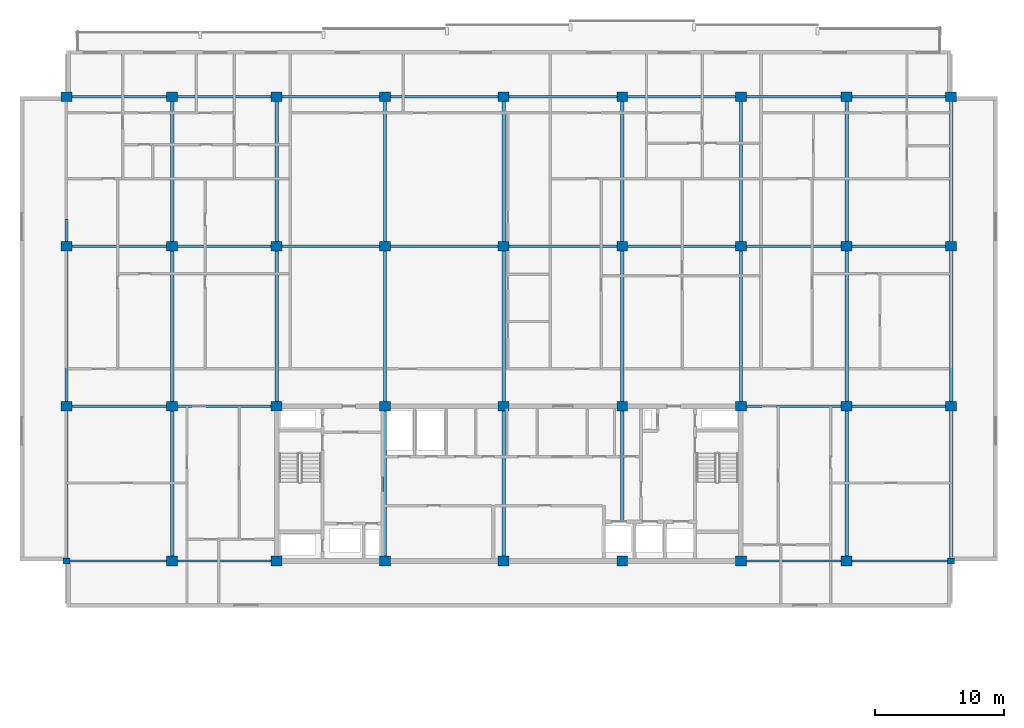
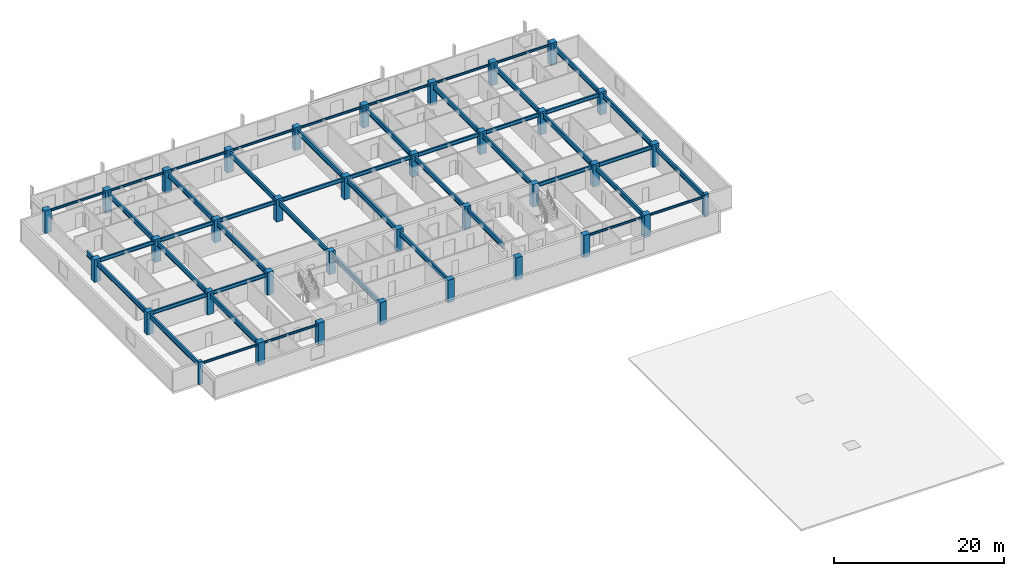
# One storey, part 1 of 11: 49 beams, 36 columns.
"""IFC4 building model written with IfcOpenShell, lengths in metres."""

from ifc_helpers import new_model, si_unit, direction, frame, origin, origin_2d, place, context, subcontext, project, spatial, rectangle, i_section, extrude, material, material_profile, profile_set, type_object, element, save


model = new_model("IFC4")

# Units and contexts
model_context = context("Model", 3, precision=1e-05, world=origin(), true_north=direction((0.0, 1.0)))
body_context = subcontext(model_context, "Body", "Model", "MODEL_VIEW")
ifc_project = project(units=[si_unit("LENGTHUNIT", "METRE"), si_unit("AREAUNIT", "SQUARE_METRE"), si_unit("VOLUMEUNIT", "CUBIC_METRE"), si_unit("PLANEANGLEUNIT", "RADIAN"), si_unit("MASSUNIT", "GRAM", prefix="KILO")], contexts=[model_context])

# Site, building, storey
site_placement = place(None, origin())
site = spatial("IfcSite", under=ifc_project, at=site_placement, CompositionType="ELEMENT")
building_placement = place(site_placement, origin())
building = spatial("IfcBuilding", under=site, at=building_placement, Name="Korimba Cascade Residences", CompositionType="ELEMENT")
storey_placement = place(building_placement, frame((0.0, 0.0, 220.60009765625)))
storey = spatial("IfcBuildingStorey", under=building, at=storey_placement, Name="L64", CompositionType="ELEMENT", Elevation=220.60009765625)

# Columns
ifc_material_1 = material(Name="Concrete C65/80", Category="concrete")
ifc_material_profile_1 = material_profile(ifc_material_1, rectangle(XDim=0.550048828125, YDim=0.449951171875, at=origin_2d()), Name="Concrete C65/80")
ifc_profile_set_1 = profile_set([ifc_material_profile_1], Name="Concrete C65/80")
column_type_1 = type_object("IfcColumnType", Name="COL-PIL-550", PredefinedType="PILASTER", material=ifc_profile_set_1)
for number, where, z_axis, x_axis, name in (
    (1, (59.800048828125, 55.199951171875, 0.0), (0.0, 0.0, 1.0), (1.0, 0.0, 0.0), "L64 Tower 1 Column 1.1"),
    (2, (128.39990234375, 55.199951171875, 0.0), (0.0, 0.0, 1.0), (1.0, 0.0, 0.0), "L64 Tower 1 Column 9.1"),
):
    element("IfcColumn", number, at=place(storey_placement, frame(where, z_axis=z_axis, x_axis=x_axis)), inside=storey, type_object=column_type_1, Name=name, PredefinedType="PILASTER", context=body_context, shape_type="SweptSolid", body=[
        extrude(rectangle(XDim=0.550048828125, YDim=0.449951171875, at=origin_2d()), origin(), (0.0, 0.0, 1.0), 3.25),
    ])
ifc_material_profile_2 = material_profile(ifc_material_1, rectangle(XDim=0.85009765625, YDim=0.75, at=origin_2d()), Name="Concrete C65/80")
ifc_profile_set_2 = profile_set([ifc_material_profile_2], Name="Concrete C65/80")
column_type_2 = type_object("IfcColumnType", Name="COL-RC-850", PredefinedType="COLUMN", material=ifc_profile_set_2)
for number, where, z_axis, x_axis, name in (
    (3, (59.800048828125, 67.199951171875, 0.0), (0.0, 0.0, 1.0), (1.0, 0.0, 0.0), "L64 Tower 1 Column 1.2"),
    (4, (59.800048828125, 79.60009765625, 0.0), (0.0, 0.0, 1.0), (1.0, 0.0, 0.0), "L64 Tower 1 Column 1.3"),
    (5, (59.800048828125, 91.199951171875, 0.0), (0.0, 0.0, 1.0), (1.0, 0.0, 0.0), "L64 Tower 1 Column 1.4"),
    (6, (68.0, 55.199951171875, 0.0), (0.0, 0.0, 1.0), (1.0, 0.0, 0.0), "L64 Tower 1 Column 2.1"),
    (7, (68.0, 67.199951171875, 0.0), (0.0, 0.0, 1.0), (1.0, 0.0, 0.0), "L64 Tower 1 Column 2.2"),
    (8, (68.0, 79.60009765625, 0.0), (0.0, 0.0, 1.0), (1.0, 0.0, 0.0), "L64 Tower 1 Column 2.3"),
    (9, (68.0, 91.199951171875, 0.0), (0.0, 0.0, 1.0), (1.0, 0.0, 0.0), "L64 Tower 1 Column 2.4"),
    (10, (76.10009765625, 55.199951171875, 0.0), (0.0, 0.0, 1.0), (1.0, 0.0, 0.0), "L64 Tower 1 Column 3.1"),
    (11, (76.10009765625, 67.199951171875, 0.0), (0.0, 0.0, 1.0), (1.0, 0.0, 0.0), "L64 Tower 1 Column 3.2"),
    (12, (76.10009765625, 79.60009765625, 0.0), (0.0, 0.0, 1.0), (1.0, 0.0, 0.0), "L64 Tower 1 Column 3.3"),
    (13, (76.10009765625, 91.199951171875, 0.0), (0.0, 0.0, 1.0), (1.0, 0.0, 0.0), "L64 Tower 1 Column 3.4"),
    (14, (84.5, 55.199951171875, 0.0), (0.0, 0.0, 1.0), (1.0, 0.0, 0.0), "L64 Tower 1 Column 4.1"),
    (15, (84.5, 67.199951171875, 0.0), (0.0, 0.0, 1.0), (1.0, 0.0, 0.0), "L64 Tower 1 Column 4.2"),
    (16, (84.5, 79.60009765625, 0.0), (0.0, 0.0, 1.0), (1.0, 0.0, 0.0), "L64 Tower 1 Column 4.3"),
    (17, (84.5, 91.199951171875, 0.0), (0.0, 0.0, 1.0), (1.0, 0.0, 0.0), "L64 Tower 1 Column 4.4"),
    (18, (93.699951171875, 55.199951171875, 0.0), (0.0, 0.0, 1.0), (1.0, 0.0, 0.0), "L64 Tower 1 Column 5.1"),
    (19, (93.699951171875, 67.199951171875, 0.0), (0.0, 0.0, 1.0), (1.0, 0.0, 0.0), "L64 Tower 1 Column 5.2"),
    (20, (93.699951171875, 79.60009765625, 0.0), (0.0, 0.0, 1.0), (1.0, 0.0, 0.0), "L64 Tower 1 Column 5.3"),
    (21, (93.699951171875, 91.199951171875, 0.0), (0.0, 0.0, 1.0), (1.0, 0.0, 0.0), "L64 Tower 1 Column 5.4"),
    (22, (102.89990234375, 55.199951171875, 0.0), (0.0, 0.0, 1.0), (1.0, 0.0, 0.0), "L64 Tower 1 Column 6.1"),
    (23, (102.89990234375, 67.199951171875, 0.0), (0.0, 0.0, 1.0), (1.0, 0.0, 0.0), "L64 Tower 1 Column 6.2"),
    (24, (102.89990234375, 79.60009765625, 0.0), (0.0, 0.0, 1.0), (1.0, 0.0, 0.0), "L64 Tower 1 Column 6.3"),
    (25, (102.89990234375, 91.199951171875, 0.0), (0.0, 0.0, 1.0), (1.0, 0.0, 0.0), "L64 Tower 1 Column 6.4"),
    (26, (112.10009765625, 55.199951171875, 0.0), (0.0, 0.0, 1.0), (1.0, 0.0, 0.0), "L64 Tower 1 Column 7.1"),
    (27, (112.10009765625, 67.199951171875, 0.0), (0.0, 0.0, 1.0), (1.0, 0.0, 0.0), "L64 Tower 1 Column 7.2"),
    (28, (112.10009765625, 79.60009765625, 0.0), (0.0, 0.0, 1.0), (1.0, 0.0, 0.0), "L64 Tower 1 Column 7.3"),
    (29, (112.10009765625, 91.199951171875, 0.0), (0.0, 0.0, 1.0), (1.0, 0.0, 0.0), "L64 Tower 1 Column 7.4"),
    (30, (120.300048828125, 55.199951171875, 0.0), (0.0, 0.0, 1.0), (1.0, 0.0, 0.0), "L64 Tower 1 Column 8.1"),
    (31, (120.300048828125, 67.199951171875, 0.0), (0.0, 0.0, 1.0), (1.0, 0.0, 0.0), "L64 Tower 1 Column 8.2"),
    (32, (120.300048828125, 79.60009765625, 0.0), (0.0, 0.0, 1.0), (1.0, 0.0, 0.0), "L64 Tower 1 Column 8.3"),
    (33, (120.300048828125, 91.199951171875, 0.0), (0.0, 0.0, 1.0), (1.0, 0.0, 0.0), "L64 Tower 1 Column 8.4"),
    (34, (128.39990234375, 67.199951171875, 0.0), (0.0, 0.0, 1.0), (1.0, 0.0, 0.0), "L64 Tower 1 Column 9.2"),
    (35, (128.39990234375, 79.60009765625, 0.0), (0.0, 0.0, 1.0), (1.0, 0.0, 0.0), "L64 Tower 1 Column 9.3"),
    (36, (128.39990234375, 91.199951171875, 0.0), (0.0, 0.0, 1.0), (1.0, 0.0, 0.0), "L64 Tower 1 Column 9.4"),
):
    element("IfcColumn", number, at=place(storey_placement, frame(where, z_axis=z_axis, x_axis=x_axis)), inside=storey, type_object=column_type_2, Name=name, PredefinedType="COLUMN", context=body_context, shape_type="SweptSolid", body=[
        extrude(rectangle(XDim=0.85009765625, YDim=0.75, at=origin_2d()), origin(), (0.0, 0.0, 1.0), 3.25),
    ])

# Beams
ifc_material_2 = material(Name="Steel S355", Category="steel")
ifc_material_profile_3 = material_profile(ifc_material_2, i_section(OverallWidth=0.165771484375, OverallDepth=0.306640625, WebThickness=0.006591796875, FlangeThickness=0.01171875, FilletRadius=0.0087890625, at=origin_2d()), Name="Steel S355")
ifc_profile_set_3 = profile_set([ifc_material_profile_3], Name="Steel S355")
beam_type_1 = type_object("IfcBeamType", Name="BM-STL-UB305", PredefinedType="SPANDREL", material=ifc_profile_set_3)
beam_1_placement = place(storey_placement, frame((60.074951171875, 55.199951171875, 2.816650390625), z_axis=(1.0, 0.0, 0.0), x_axis=(0.0, 1.0, 0.0)))
element("IfcBeam", 37, at=beam_1_placement, inside=storey, type_object=beam_type_1, Name="L64 T1 E-W Girder Y1 Bay 1", PredefinedType="SPANDREL", context=body_context, shape_type="SweptSolid", body=[
    extrude(i_section(OverallWidth=0.165771484375, OverallDepth=0.306640625, WebThickness=0.006591796875, FlangeThickness=0.01171875, FilletRadius=0.0087890625, at=origin_2d()), origin(), (0.0, 0.0, 1.0), 7.5),
])
beam_2_placement = place(storey_placement, frame((68.425048828125, 55.199951171875, 2.816650390625), z_axis=(1.0, 0.0, 0.0), x_axis=(0.0, 1.0, 0.0)))
element("IfcBeam", 38, at=beam_2_placement, inside=storey, type_object=beam_type_1, Name="L64 T1 E-W Girder Y1 Bay 2", PredefinedType="SPANDREL", context=body_context, shape_type="SweptSolid", body=[
    extrude(i_section(OverallWidth=0.165771484375, OverallDepth=0.306640625, WebThickness=0.006591796875, FlangeThickness=0.01171875, FilletRadius=0.0087890625, at=origin_2d()), origin(), (0.0, 0.0, 1.0), 7.25),
])
beam_3_placement = place(storey_placement, frame((112.52490234375, 55.199951171875, 2.816650390625), z_axis=(1.0, 0.0, 0.0), x_axis=(0.0, 1.0, 0.0)))
element("IfcBeam", 39, at=beam_3_placement, inside=storey, type_object=beam_type_1, Name="L64 T1 E-W Girder Y1 Bay 7", PredefinedType="SPANDREL", context=body_context, shape_type="SweptSolid", body=[
    extrude(i_section(OverallWidth=0.165771484375, OverallDepth=0.306640625, WebThickness=0.006591796875, FlangeThickness=0.01171875, FilletRadius=0.0087890625, at=origin_2d()), origin(), (0.0, 0.0, 1.0), 7.35009765625),
])
beam_4_placement = place(storey_placement, frame((120.72509765625, 55.199951171875, 2.816650390625), z_axis=(1.0, 0.0, 0.0), x_axis=(0.0, 1.0, 0.0)))
element("IfcBeam", 40, at=beam_4_placement, inside=storey, type_object=beam_type_1, Name="L64 T1 E-W Girder Y1 Bay 8", PredefinedType="SPANDREL", context=body_context, shape_type="SweptSolid", body=[
    extrude(i_section(OverallWidth=0.165771484375, OverallDepth=0.306640625, WebThickness=0.006591796875, FlangeThickness=0.01171875, FilletRadius=0.0087890625, at=origin_2d()), origin(), (0.0, 0.0, 1.0), 7.39990234375),
])
beam_5_placement = place(storey_placement, frame((60.22509765625, 91.199951171875, 2.816650390625), z_axis=(1.0, 0.0, 0.0), x_axis=(0.0, 1.0, 0.0)))
element("IfcBeam", 41, at=beam_5_placement, inside=storey, type_object=beam_type_1, Name="L64 T1 E-W Girder Y4 Bay 1", PredefinedType="SPANDREL", context=body_context, shape_type="SweptSolid", body=[
    extrude(i_section(OverallWidth=0.165771484375, OverallDepth=0.306640625, WebThickness=0.006591796875, FlangeThickness=0.01171875, FilletRadius=0.0087890625, at=origin_2d()), origin(), (0.0, 0.0, 1.0), 7.349853515625),
])
beam_6_placement = place(storey_placement, frame((68.425048828125, 91.199951171875, 2.816650390625), z_axis=(1.0, 0.0, 0.0), x_axis=(0.0, 1.0, 0.0)))
element("IfcBeam", 42, at=beam_6_placement, inside=storey, type_object=beam_type_1, Name="L64 T1 E-W Girder Y4 Bay 2", PredefinedType="SPANDREL", context=body_context, shape_type="SweptSolid", body=[
    extrude(i_section(OverallWidth=0.165771484375, OverallDepth=0.306640625, WebThickness=0.006591796875, FlangeThickness=0.01171875, FilletRadius=0.0087890625, at=origin_2d()), origin(), (0.0, 0.0, 1.0), 7.25),
])
beam_7_placement = place(storey_placement, frame((76.52490234375, 91.199951171875, 2.816650390625), z_axis=(1.0, 0.0, 0.0), x_axis=(0.0, 1.0, 0.0)))
element("IfcBeam", 43, at=beam_7_placement, inside=storey, type_object=beam_type_1, Name="L64 T1 E-W Girder Y4 Bay 3", PredefinedType="SPANDREL", context=body_context, shape_type="SweptSolid", body=[
    extrude(i_section(OverallWidth=0.165771484375, OverallDepth=0.306640625, WebThickness=0.006591796875, FlangeThickness=0.01171875, FilletRadius=0.0087890625, at=origin_2d()), origin(), (0.0, 0.0, 1.0), 7.550048828125),
])
beam_8_placement = place(storey_placement, frame((84.925048828125, 91.199951171875, 2.816650390625), z_axis=(1.0, 0.0, 0.0), x_axis=(0.0, 1.0, 0.0)))
element("IfcBeam", 44, at=beam_8_placement, inside=storey, type_object=beam_type_1, Name="L64 T1 E-W Girder Y4 Bay 4", PredefinedType="SPANDREL", context=body_context, shape_type="SweptSolid", body=[
    extrude(i_section(OverallWidth=0.165771484375, OverallDepth=0.306640625, WebThickness=0.006591796875, FlangeThickness=0.01171875, FilletRadius=0.0087890625, at=origin_2d()), origin(), (0.0, 0.0, 1.0), 8.349853515625),
])
for number, where, z_axis, x_axis, name in (
    (45, (94.125, 91.199951171875, 2.816650390625), (1.0, 0.0, 0.0), (0.0, 1.0, 0.0), "L64 T1 E-W Girder Y4 Bay 5"),
    (46, (103.324951171875, 91.199951171875, 2.816650390625), (1.0, 0.0, 0.0), (0.0, 1.0, 0.0), "L64 T1 E-W Girder Y4 Bay 6"),
):
    element("IfcBeam", number, at=place(storey_placement, frame(where, z_axis=z_axis, x_axis=x_axis)), inside=storey, type_object=beam_type_1, Name=name, PredefinedType="SPANDREL", context=body_context, shape_type="SweptSolid", body=[
        extrude(i_section(OverallWidth=0.165771484375, OverallDepth=0.306640625, WebThickness=0.006591796875, FlangeThickness=0.01171875, FilletRadius=0.0087890625, at=origin_2d()), origin(), (0.0, 0.0, 1.0), 8.35009765625),
    ])
beam_9_placement = place(storey_placement, frame((112.52490234375, 91.199951171875, 2.816650390625), z_axis=(1.0, 0.0, 0.0), x_axis=(0.0, 1.0, 0.0)))
element("IfcBeam", 47, at=beam_9_placement, inside=storey, type_object=beam_type_1, Name="L64 T1 E-W Girder Y4 Bay 7", PredefinedType="SPANDREL", context=body_context, shape_type="SweptSolid", body=[
    extrude(i_section(OverallWidth=0.165771484375, OverallDepth=0.306640625, WebThickness=0.006591796875, FlangeThickness=0.01171875, FilletRadius=0.0087890625, at=origin_2d()), origin(), (0.0, 0.0, 1.0), 7.35009765625),
])
beam_10_placement = place(storey_placement, frame((120.72509765625, 91.199951171875, 2.816650390625), z_axis=(1.0, 0.0, 0.0), x_axis=(0.0, 1.0, 0.0)))
element("IfcBeam", 48, at=beam_10_placement, inside=storey, type_object=beam_type_1, Name="L64 T1 E-W Girder Y4 Bay 8", PredefinedType="SPANDREL", context=body_context, shape_type="SweptSolid", body=[
    extrude(i_section(OverallWidth=0.165771484375, OverallDepth=0.306640625, WebThickness=0.006591796875, FlangeThickness=0.01171875, FilletRadius=0.0087890625, at=origin_2d()), origin(), (0.0, 0.0, 1.0), 7.25),
])
ifc_material_profile_4 = material_profile(ifc_material_2, i_section(OverallWidth=0.2099609375, OverallDepth=0.53662109375, WebThickness=0.0107421875, FlangeThickness=0.017333984375, FilletRadius=0.0126953125, at=origin_2d()), Name="Steel S355")
ifc_profile_set_4 = profile_set([ifc_material_profile_4], Name="Steel S355")
beam_type_2 = type_object("IfcBeamType", Name="BM-STL-UB533", PredefinedType="BEAM", material=ifc_profile_set_4)
beam_11_placement = place(storey_placement, frame((60.22509765625, 67.199951171875, 2.701416015625), z_axis=(1.0, 0.0, 0.0), x_axis=(0.0, 1.0, 0.0)))
element("IfcBeam", 49, at=beam_11_placement, inside=storey, type_object=beam_type_2, Name="L64 T1 E-W Girder Y2 Bay 1", PredefinedType="BEAM", context=body_context, shape_type="SweptSolid", body=[
    extrude(i_section(OverallWidth=0.2099609375, OverallDepth=0.53662109375, WebThickness=0.0107421875, FlangeThickness=0.017333984375, FilletRadius=0.0126953125, at=origin_2d()), origin(), (0.0, 0.0, 1.0), 7.349853515625),
])
beam_12_placement = place(storey_placement, frame((68.425048828125, 67.199951171875, 2.701416015625), z_axis=(1.0, 0.0, 0.0), x_axis=(0.0, 1.0, 0.0)))
element("IfcBeam", 50, at=beam_12_placement, inside=storey, type_object=beam_type_2, Name="L64 T1 E-W Girder Y2 Bay 2", PredefinedType="BEAM", context=body_context, shape_type="SweptSolid", body=[
    extrude(i_section(OverallWidth=0.2099609375, OverallDepth=0.53662109375, WebThickness=0.0107421875, FlangeThickness=0.017333984375, FilletRadius=0.0126953125, at=origin_2d()), origin(), (0.0, 0.0, 1.0), 7.25),
])
beam_13_placement = place(storey_placement, frame((112.52490234375, 67.199951171875, 2.701416015625), z_axis=(1.0, 0.0, 0.0), x_axis=(0.0, 1.0, 0.0)))
element("IfcBeam", 51, at=beam_13_placement, inside=storey, type_object=beam_type_2, Name="L64 T1 E-W Girder Y2 Bay 7", PredefinedType="BEAM", context=body_context, shape_type="SweptSolid", body=[
    extrude(i_section(OverallWidth=0.2099609375, OverallDepth=0.53662109375, WebThickness=0.0107421875, FlangeThickness=0.017333984375, FilletRadius=0.0126953125, at=origin_2d()), origin(), (0.0, 0.0, 1.0), 7.35009765625),
])
beam_14_placement = place(storey_placement, frame((120.72509765625, 67.199951171875, 2.701416015625), z_axis=(1.0, 0.0, 0.0), x_axis=(0.0, 1.0, 0.0)))
element("IfcBeam", 52, at=beam_14_placement, inside=storey, type_object=beam_type_2, Name="L64 T1 E-W Girder Y2 Bay 8", PredefinedType="BEAM", context=body_context, shape_type="SweptSolid", body=[
    extrude(i_section(OverallWidth=0.2099609375, OverallDepth=0.53662109375, WebThickness=0.0107421875, FlangeThickness=0.017333984375, FilletRadius=0.0126953125, at=origin_2d()), origin(), (0.0, 0.0, 1.0), 7.25),
])
beam_15_placement = place(storey_placement, frame((60.22509765625, 79.60009765625, 2.701416015625), z_axis=(1.0, 0.0, 0.0), x_axis=(0.0, 1.0, 0.0)))
element("IfcBeam", 53, at=beam_15_placement, inside=storey, type_object=beam_type_2, Name="L64 T1 E-W Girder Y3 Bay 1", PredefinedType="BEAM", context=body_context, shape_type="SweptSolid", body=[
    extrude(i_section(OverallWidth=0.2099609375, OverallDepth=0.53662109375, WebThickness=0.0107421875, FlangeThickness=0.017333984375, FilletRadius=0.0126953125, at=origin_2d()), origin(), (0.0, 0.0, 1.0), 7.349853515625),
])
beam_16_placement = place(storey_placement, frame((68.425048828125, 79.60009765625, 2.701416015625), z_axis=(1.0, 0.0, 0.0), x_axis=(0.0, 1.0, 0.0)))
element("IfcBeam", 54, at=beam_16_placement, inside=storey, type_object=beam_type_2, Name="L64 T1 E-W Girder Y3 Bay 2", PredefinedType="BEAM", context=body_context, shape_type="SweptSolid", body=[
    extrude(i_section(OverallWidth=0.2099609375, OverallDepth=0.53662109375, WebThickness=0.0107421875, FlangeThickness=0.017333984375, FilletRadius=0.0126953125, at=origin_2d()), origin(), (0.0, 0.0, 1.0), 7.25),
])
beam_17_placement = place(storey_placement, frame((76.52490234375, 79.60009765625, 2.701416015625), z_axis=(1.0, 0.0, 0.0), x_axis=(0.0, 1.0, 0.0)))
element("IfcBeam", 55, at=beam_17_placement, inside=storey, type_object=beam_type_2, Name="L64 T1 E-W Girder Y3 Bay 3", PredefinedType="BEAM", context=body_context, shape_type="SweptSolid", body=[
    extrude(i_section(OverallWidth=0.2099609375, OverallDepth=0.53662109375, WebThickness=0.0107421875, FlangeThickness=0.017333984375, FilletRadius=0.0126953125, at=origin_2d()), origin(), (0.0, 0.0, 1.0), 7.550048828125),
])
beam_18_placement = place(storey_placement, frame((84.925048828125, 79.60009765625, 2.701416015625), z_axis=(1.0, 0.0, 0.0), x_axis=(0.0, 1.0, 0.0)))
element("IfcBeam", 56, at=beam_18_placement, inside=storey, type_object=beam_type_2, Name="L64 T1 E-W Girder Y3 Bay 4", PredefinedType="BEAM", context=body_context, shape_type="SweptSolid", body=[
    extrude(i_section(OverallWidth=0.2099609375, OverallDepth=0.53662109375, WebThickness=0.0107421875, FlangeThickness=0.017333984375, FilletRadius=0.0126953125, at=origin_2d()), origin(), (0.0, 0.0, 1.0), 8.349853515625),
])
for number, where, z_axis, x_axis, name in (
    (57, (94.125, 79.60009765625, 2.701416015625), (1.0, 0.0, 0.0), (0.0, 1.0, 0.0), "L64 T1 E-W Girder Y3 Bay 5"),
    (58, (103.324951171875, 79.60009765625, 2.701416015625), (1.0, 0.0, 0.0), (0.0, 1.0, 0.0), "L64 T1 E-W Girder Y3 Bay 6"),
):
    element("IfcBeam", number, at=place(storey_placement, frame(where, z_axis=z_axis, x_axis=x_axis)), inside=storey, type_object=beam_type_2, Name=name, PredefinedType="BEAM", context=body_context, shape_type="SweptSolid", body=[
        extrude(i_section(OverallWidth=0.2099609375, OverallDepth=0.53662109375, WebThickness=0.0107421875, FlangeThickness=0.017333984375, FilletRadius=0.0126953125, at=origin_2d()), origin(), (0.0, 0.0, 1.0), 8.35009765625),
    ])
beam_19_placement = place(storey_placement, frame((112.52490234375, 79.60009765625, 2.701416015625), z_axis=(1.0, 0.0, 0.0), x_axis=(0.0, 1.0, 0.0)))
element("IfcBeam", 59, at=beam_19_placement, inside=storey, type_object=beam_type_2, Name="L64 T1 E-W Girder Y3 Bay 7", PredefinedType="BEAM", context=body_context, shape_type="SweptSolid", body=[
    extrude(i_section(OverallWidth=0.2099609375, OverallDepth=0.53662109375, WebThickness=0.0107421875, FlangeThickness=0.017333984375, FilletRadius=0.0126953125, at=origin_2d()), origin(), (0.0, 0.0, 1.0), 7.35009765625),
])
beam_20_placement = place(storey_placement, frame((120.72509765625, 79.60009765625, 2.701416015625), z_axis=(1.0, 0.0, 0.0), x_axis=(0.0, 1.0, 0.0)))
element("IfcBeam", 60, at=beam_20_placement, inside=storey, type_object=beam_type_2, Name="L64 T1 E-W Girder Y3 Bay 8", PredefinedType="BEAM", context=body_context, shape_type="SweptSolid", body=[
    extrude(i_section(OverallWidth=0.2099609375, OverallDepth=0.53662109375, WebThickness=0.0107421875, FlangeThickness=0.017333984375, FilletRadius=0.0126953125, at=origin_2d()), origin(), (0.0, 0.0, 1.0), 7.25),
])
ifc_material_profile_5 = material_profile(ifc_material_2, i_section(OverallWidth=0.255859375, OverallDepth=0.69287109375, WebThickness=0.014404296875, FlangeThickness=0.023681640625, FilletRadius=0.01513671875, at=origin_2d()), Name="Steel S355")
ifc_profile_set_5 = profile_set([ifc_material_profile_5], Name="Steel S355")
beam_type_3 = type_object("IfcBeamType", Name="BM-STL-UB686", PredefinedType="BEAM", material=ifc_profile_set_5)
beam_21_placement = place(storey_placement, frame((59.800048828125, 55.425048828125, 2.623291015625), z_axis=(0.0, 1.0, 0.0), x_axis=(-1.0, 0.0, 0.0)))
element("IfcBeam", 61, at=beam_21_placement, inside=storey, type_object=beam_type_3, Name="L64 T1 N-S Girder X1 Seg 1", PredefinedType="BEAM", context=body_context, shape_type="SweptSolid", body=[
    extrude(i_section(OverallWidth=0.255859375, OverallDepth=0.69287109375, WebThickness=0.014404296875, FlangeThickness=0.023681640625, FilletRadius=0.01513671875, at=origin_2d()), origin(), (0.0, 0.0, 1.0), 11.39990234375),
])
beam_22_placement = place(storey_placement, frame((59.800048828125, 67.574951171875, 2.623291015625), z_axis=(0.0, 1.0, 0.0), x_axis=(-1.0, 0.0, 0.0)))
element("IfcBeam", 62, at=beam_22_placement, inside=storey, type_object=beam_type_3, Name="L64 T1 N-S Girder X1 Seg 2", PredefinedType="BEAM", context=body_context, shape_type="SweptSolid", body=[
    extrude(i_section(OverallWidth=0.255859375, OverallDepth=0.69287109375, WebThickness=0.014404296875, FlangeThickness=0.023681640625, FilletRadius=0.01513671875, at=origin_2d()), origin(), (0.0, 0.0, 1.0), 11.650146484375),
])
beam_23_placement = place(storey_placement, frame((59.800048828125, 79.97509765625, 2.623291015625), z_axis=(0.0, 1.0, 0.0), x_axis=(-1.0, 0.0, 0.0)))
element("IfcBeam", 63, at=beam_23_placement, inside=storey, type_object=beam_type_3, Name="L64 T1 N-S Girder X1 Seg 3", PredefinedType="BEAM", context=body_context, shape_type="SweptSolid", body=[
    extrude(i_section(OverallWidth=0.255859375, OverallDepth=0.69287109375, WebThickness=0.014404296875, FlangeThickness=0.023681640625, FilletRadius=0.01513671875, at=origin_2d()), origin(), (0.0, 0.0, 1.0), 1.724853515625),
])
beam_24_placement = place(storey_placement, frame((68.0, 55.574951171875, 2.623291015625), z_axis=(0.0, 1.0, 0.0), x_axis=(-1.0, 0.0, 0.0)))
element("IfcBeam", 64, at=beam_24_placement, inside=storey, type_object=beam_type_3, Name="L64 T1 N-S Girder X2 Seg 1", PredefinedType="BEAM", context=body_context, shape_type="SweptSolid", body=[
    extrude(i_section(OverallWidth=0.255859375, OverallDepth=0.69287109375, WebThickness=0.014404296875, FlangeThickness=0.023681640625, FilletRadius=0.01513671875, at=origin_2d()), origin(), (0.0, 0.0, 1.0), 11.25),
])
beam_25_placement = place(storey_placement, frame((68.0, 67.574951171875, 2.623291015625), z_axis=(0.0, 1.0, 0.0), x_axis=(-1.0, 0.0, 0.0)))
element("IfcBeam", 65, at=beam_25_placement, inside=storey, type_object=beam_type_3, Name="L64 T1 N-S Girder X2 Seg 2", PredefinedType="BEAM", context=body_context, shape_type="SweptSolid", body=[
    extrude(i_section(OverallWidth=0.255859375, OverallDepth=0.69287109375, WebThickness=0.014404296875, FlangeThickness=0.023681640625, FilletRadius=0.01513671875, at=origin_2d()), origin(), (0.0, 0.0, 1.0), 11.650146484375),
])
beam_26_placement = place(storey_placement, frame((68.0, 79.97509765625, 2.623291015625), z_axis=(0.0, 1.0, 0.0), x_axis=(-1.0, 0.0, 0.0)))
element("IfcBeam", 66, at=beam_26_placement, inside=storey, type_object=beam_type_3, Name="L64 T1 N-S Girder X2 Seg 3", PredefinedType="BEAM", context=body_context, shape_type="SweptSolid", body=[
    extrude(i_section(OverallWidth=0.255859375, OverallDepth=0.69287109375, WebThickness=0.014404296875, FlangeThickness=0.023681640625, FilletRadius=0.01513671875, at=origin_2d()), origin(), (0.0, 0.0, 1.0), 10.849853515625),
])
beam_27_placement = place(storey_placement, frame((76.10009765625, 67.574951171875, 2.623291015625), z_axis=(0.0, 1.0, 0.0), x_axis=(-1.0, 0.0, 0.0)))
element("IfcBeam", 67, at=beam_27_placement, inside=storey, type_object=beam_type_3, Name="L64 T1 N-S Girder X3 Seg 2", PredefinedType="BEAM", context=body_context, shape_type="SweptSolid", body=[
    extrude(i_section(OverallWidth=0.255859375, OverallDepth=0.69287109375, WebThickness=0.014404296875, FlangeThickness=0.023681640625, FilletRadius=0.01513671875, at=origin_2d()), origin(), (0.0, 0.0, 1.0), 11.650146484375),
])
beam_28_placement = place(storey_placement, frame((76.10009765625, 79.97509765625, 2.623291015625), z_axis=(0.0, 1.0, 0.0), x_axis=(-1.0, 0.0, 0.0)))
element("IfcBeam", 68, at=beam_28_placement, inside=storey, type_object=beam_type_3, Name="L64 T1 N-S Girder X3 Seg 3", PredefinedType="BEAM", context=body_context, shape_type="SweptSolid", body=[
    extrude(i_section(OverallWidth=0.255859375, OverallDepth=0.69287109375, WebThickness=0.014404296875, FlangeThickness=0.023681640625, FilletRadius=0.01513671875, at=origin_2d()), origin(), (0.0, 0.0, 1.0), 10.849853515625),
])
beam_29_placement = place(storey_placement, frame((84.5, 55.574951171875, 2.623291015625), z_axis=(0.0, 1.0, 0.0), x_axis=(-1.0, 0.0, 0.0)))
element("IfcBeam", 69, at=beam_29_placement, inside=storey, type_object=beam_type_3, Name="L64 T1 N-S Girder X4 Seg 1", PredefinedType="BEAM", context=body_context, shape_type="SweptSolid", body=[
    extrude(i_section(OverallWidth=0.255859375, OverallDepth=0.69287109375, WebThickness=0.014404296875, FlangeThickness=0.023681640625, FilletRadius=0.01513671875, at=origin_2d()), origin(), (0.0, 0.0, 1.0), 11.25),
])
beam_30_placement = place(storey_placement, frame((84.5, 67.574951171875, 2.623291015625), z_axis=(0.0, 1.0, 0.0), x_axis=(-1.0, 0.0, 0.0)))
element("IfcBeam", 70, at=beam_30_placement, inside=storey, type_object=beam_type_3, Name="L64 T1 N-S Girder X4 Seg 2", PredefinedType="BEAM", context=body_context, shape_type="SweptSolid", body=[
    extrude(i_section(OverallWidth=0.255859375, OverallDepth=0.69287109375, WebThickness=0.014404296875, FlangeThickness=0.023681640625, FilletRadius=0.01513671875, at=origin_2d()), origin(), (0.0, 0.0, 1.0), 11.650146484375),
])
beam_31_placement = place(storey_placement, frame((84.5, 79.97509765625, 2.623291015625), z_axis=(0.0, 1.0, 0.0), x_axis=(-1.0, 0.0, 0.0)))
element("IfcBeam", 71, at=beam_31_placement, inside=storey, type_object=beam_type_3, Name="L64 T1 N-S Girder X4 Seg 3", PredefinedType="BEAM", context=body_context, shape_type="SweptSolid", body=[
    extrude(i_section(OverallWidth=0.255859375, OverallDepth=0.69287109375, WebThickness=0.014404296875, FlangeThickness=0.023681640625, FilletRadius=0.01513671875, at=origin_2d()), origin(), (0.0, 0.0, 1.0), 10.849853515625),
])
beam_32_placement = place(storey_placement, frame((93.699951171875, 55.574951171875, 2.623291015625), z_axis=(0.0, 1.0, 0.0), x_axis=(-1.0, 0.0, 0.0)))
element("IfcBeam", 72, at=beam_32_placement, inside=storey, type_object=beam_type_3, Name="L64 T1 N-S Girder X5 Seg 1", PredefinedType="BEAM", context=body_context, shape_type="SweptSolid", body=[
    extrude(i_section(OverallWidth=0.255859375, OverallDepth=0.69287109375, WebThickness=0.014404296875, FlangeThickness=0.023681640625, FilletRadius=0.01513671875, at=origin_2d()), origin(), (0.0, 0.0, 1.0), 11.25),
])
beam_33_placement = place(storey_placement, frame((93.699951171875, 67.574951171875, 2.623291015625), z_axis=(0.0, 1.0, 0.0), x_axis=(-1.0, 0.0, 0.0)))
element("IfcBeam", 73, at=beam_33_placement, inside=storey, type_object=beam_type_3, Name="L64 T1 N-S Girder X5 Seg 2", PredefinedType="BEAM", context=body_context, shape_type="SweptSolid", body=[
    extrude(i_section(OverallWidth=0.255859375, OverallDepth=0.69287109375, WebThickness=0.014404296875, FlangeThickness=0.023681640625, FilletRadius=0.01513671875, at=origin_2d()), origin(), (0.0, 0.0, 1.0), 11.650146484375),
])
beam_34_placement = place(storey_placement, frame((93.699951171875, 79.97509765625, 2.623291015625), z_axis=(0.0, 1.0, 0.0), x_axis=(-1.0, 0.0, 0.0)))
element("IfcBeam", 74, at=beam_34_placement, inside=storey, type_object=beam_type_3, Name="L64 T1 N-S Girder X5 Seg 3", PredefinedType="BEAM", context=body_context, shape_type="SweptSolid", body=[
    extrude(i_section(OverallWidth=0.255859375, OverallDepth=0.69287109375, WebThickness=0.014404296875, FlangeThickness=0.023681640625, FilletRadius=0.01513671875, at=origin_2d()), origin(), (0.0, 0.0, 1.0), 10.849853515625),
])
beam_35_placement = place(storey_placement, frame((102.89990234375, 58.260009765625, 2.623291015625), z_axis=(0.0, 1.0, 0.0), x_axis=(-1.0, 0.0, 0.0)))
element("IfcBeam", 75, at=beam_35_placement, inside=storey, type_object=beam_type_3, Name="L64 T1 N-S Girder X6 Seg 1", PredefinedType="BEAM", context=body_context, shape_type="SweptSolid", body=[
    extrude(i_section(OverallWidth=0.255859375, OverallDepth=0.69287109375, WebThickness=0.014404296875, FlangeThickness=0.023681640625, FilletRadius=0.01513671875, at=origin_2d()), origin(), (0.0, 0.0, 1.0), 8.56494140625),
])
beam_36_placement = place(storey_placement, frame((102.89990234375, 67.574951171875, 2.623291015625), z_axis=(0.0, 1.0, 0.0), x_axis=(-1.0, 0.0, 0.0)))
element("IfcBeam", 76, at=beam_36_placement, inside=storey, type_object=beam_type_3, Name="L64 T1 N-S Girder X6 Seg 2", PredefinedType="BEAM", context=body_context, shape_type="SweptSolid", body=[
    extrude(i_section(OverallWidth=0.255859375, OverallDepth=0.69287109375, WebThickness=0.014404296875, FlangeThickness=0.023681640625, FilletRadius=0.01513671875, at=origin_2d()), origin(), (0.0, 0.0, 1.0), 11.650146484375),
])
beam_37_placement = place(storey_placement, frame((102.89990234375, 79.97509765625, 2.623291015625), z_axis=(0.0, 1.0, 0.0), x_axis=(-1.0, 0.0, 0.0)))
element("IfcBeam", 77, at=beam_37_placement, inside=storey, type_object=beam_type_3, Name="L64 T1 N-S Girder X6 Seg 3", PredefinedType="BEAM", context=body_context, shape_type="SweptSolid", body=[
    extrude(i_section(OverallWidth=0.255859375, OverallDepth=0.69287109375, WebThickness=0.014404296875, FlangeThickness=0.023681640625, FilletRadius=0.01513671875, at=origin_2d()), origin(), (0.0, 0.0, 1.0), 10.849853515625),
])
beam_38_placement = place(storey_placement, frame((112.10009765625, 67.574951171875, 2.623291015625), z_axis=(0.0, 1.0, 0.0), x_axis=(-1.0, 0.0, 0.0)))
element("IfcBeam", 78, at=beam_38_placement, inside=storey, type_object=beam_type_3, Name="L64 T1 N-S Girder X7 Seg 2", PredefinedType="BEAM", context=body_context, shape_type="SweptSolid", body=[
    extrude(i_section(OverallWidth=0.255859375, OverallDepth=0.69287109375, WebThickness=0.014404296875, FlangeThickness=0.023681640625, FilletRadius=0.01513671875, at=origin_2d()), origin(), (0.0, 0.0, 1.0), 11.650146484375),
])
beam_39_placement = place(storey_placement, frame((112.10009765625, 79.97509765625, 2.623291015625), z_axis=(0.0, 1.0, 0.0), x_axis=(-1.0, 0.0, 0.0)))
element("IfcBeam", 79, at=beam_39_placement, inside=storey, type_object=beam_type_3, Name="L64 T1 N-S Girder X7 Seg 3", PredefinedType="BEAM", context=body_context, shape_type="SweptSolid", body=[
    extrude(i_section(OverallWidth=0.255859375, OverallDepth=0.69287109375, WebThickness=0.014404296875, FlangeThickness=0.023681640625, FilletRadius=0.01513671875, at=origin_2d()), origin(), (0.0, 0.0, 1.0), 10.849853515625),
])
beam_40_placement = place(storey_placement, frame((120.300048828125, 55.574951171875, 2.623291015625), z_axis=(0.0, 1.0, 0.0), x_axis=(-1.0, 0.0, 0.0)))
element("IfcBeam", 80, at=beam_40_placement, inside=storey, type_object=beam_type_3, Name="L64 T1 N-S Girder X8 Seg 1", PredefinedType="BEAM", context=body_context, shape_type="SweptSolid", body=[
    extrude(i_section(OverallWidth=0.255859375, OverallDepth=0.69287109375, WebThickness=0.014404296875, FlangeThickness=0.023681640625, FilletRadius=0.01513671875, at=origin_2d()), origin(), (0.0, 0.0, 1.0), 11.25),
])
beam_41_placement = place(storey_placement, frame((120.300048828125, 67.574951171875, 2.623291015625), z_axis=(0.0, 1.0, 0.0), x_axis=(-1.0, 0.0, 0.0)))
element("IfcBeam", 81, at=beam_41_placement, inside=storey, type_object=beam_type_3, Name="L64 T1 N-S Girder X8 Seg 2", PredefinedType="BEAM", context=body_context, shape_type="SweptSolid", body=[
    extrude(i_section(OverallWidth=0.255859375, OverallDepth=0.69287109375, WebThickness=0.014404296875, FlangeThickness=0.023681640625, FilletRadius=0.01513671875, at=origin_2d()), origin(), (0.0, 0.0, 1.0), 11.650146484375),
])
beam_42_placement = place(storey_placement, frame((120.300048828125, 79.97509765625, 2.623291015625), z_axis=(0.0, 1.0, 0.0), x_axis=(-1.0, 0.0, 0.0)))
element("IfcBeam", 82, at=beam_42_placement, inside=storey, type_object=beam_type_3, Name="L64 T1 N-S Girder X8 Seg 3", PredefinedType="BEAM", context=body_context, shape_type="SweptSolid", body=[
    extrude(i_section(OverallWidth=0.255859375, OverallDepth=0.69287109375, WebThickness=0.014404296875, FlangeThickness=0.023681640625, FilletRadius=0.01513671875, at=origin_2d()), origin(), (0.0, 0.0, 1.0), 10.849853515625),
])
beam_43_placement = place(storey_placement, frame((128.39990234375, 55.425048828125, 2.623291015625), z_axis=(0.0, 1.0, 0.0), x_axis=(-1.0, 0.0, 0.0)))
element("IfcBeam", 83, at=beam_43_placement, inside=storey, type_object=beam_type_3, Name="L64 T1 N-S Girder X9 Seg 1", PredefinedType="BEAM", context=body_context, shape_type="SweptSolid", body=[
    extrude(i_section(OverallWidth=0.255859375, OverallDepth=0.69287109375, WebThickness=0.014404296875, FlangeThickness=0.023681640625, FilletRadius=0.01513671875, at=origin_2d()), origin(), (0.0, 0.0, 1.0), 11.39990234375),
])
beam_44_placement = place(storey_placement, frame((128.39990234375, 67.574951171875, 2.623291015625), z_axis=(0.0, 1.0, 0.0), x_axis=(-1.0, 0.0, 0.0)))
element("IfcBeam", 84, at=beam_44_placement, inside=storey, type_object=beam_type_3, Name="L64 T1 N-S Girder X9 Seg 2", PredefinedType="BEAM", context=body_context, shape_type="SweptSolid", body=[
    extrude(i_section(OverallWidth=0.255859375, OverallDepth=0.69287109375, WebThickness=0.014404296875, FlangeThickness=0.023681640625, FilletRadius=0.01513671875, at=origin_2d()), origin(), (0.0, 0.0, 1.0), 11.650146484375),
])
beam_45_placement = place(storey_placement, frame((128.39990234375, 79.97509765625, 2.623291015625), z_axis=(0.0, 1.0, 0.0), x_axis=(-1.0, 0.0, 0.0)))
element("IfcBeam", 85, at=beam_45_placement, inside=storey, type_object=beam_type_3, Name="L64 T1 N-S Girder X9 Seg 3", PredefinedType="BEAM", context=body_context, shape_type="SweptSolid", body=[
    extrude(i_section(OverallWidth=0.255859375, OverallDepth=0.69287109375, WebThickness=0.014404296875, FlangeThickness=0.023681640625, FilletRadius=0.01513671875, at=origin_2d()), origin(), (0.0, 0.0, 1.0), 10.849853515625),
])

save(model, "model.ifc")
